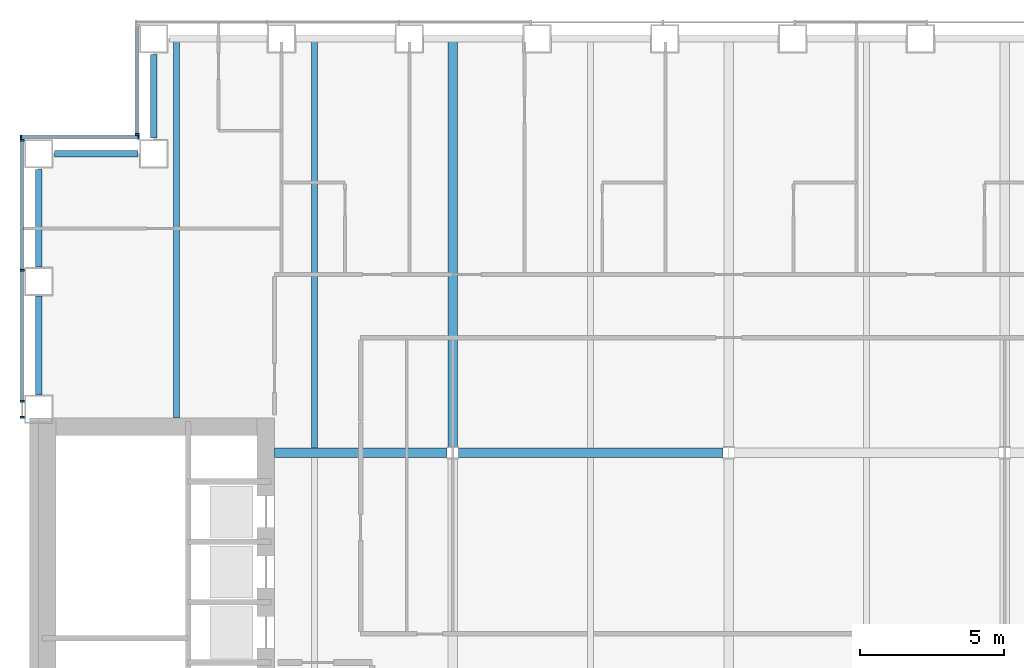
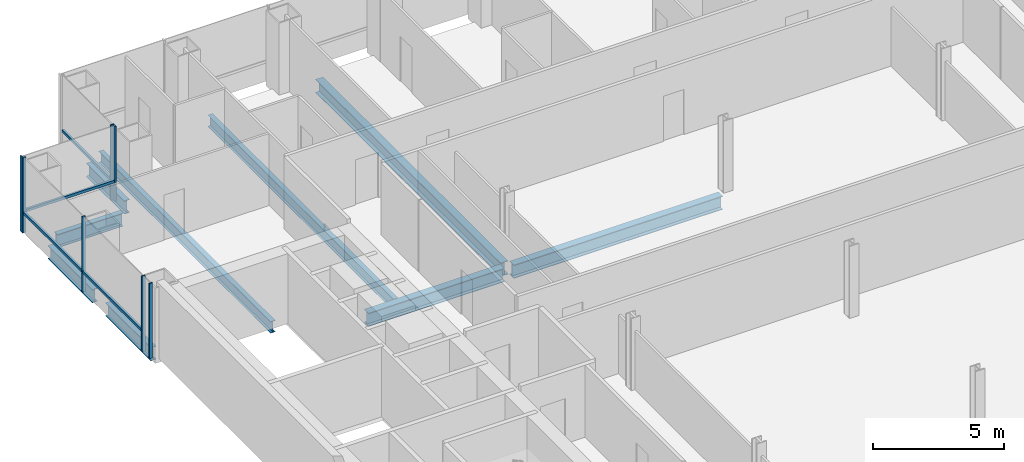
# One storey, part 7 of 21: 11 members, 9 beams, 3 elements without a shape of their own.
"""IFC4 building model written with IfcOpenShell, lengths in metres."""

from ifc_helpers import new_model, si_unit, direction, frame, origin, origin_2d, place, context, subcontext, project, spatial, rectangle, i_section, extrude, material, material_profile, profile_set, type_object, element, aggregate, save


model = new_model("IFC4")

# Units and contexts
model_context = context("Model", 3, precision=1e-05, world=origin(), true_north=direction((0.0, 1.0)))
body_context = subcontext(model_context, "Body", "Model", "MODEL_VIEW")
ifc_project = project(units=[si_unit("LENGTHUNIT", "METRE"), si_unit("AREAUNIT", "SQUARE_METRE"), si_unit("VOLUMEUNIT", "CUBIC_METRE"), si_unit("PLANEANGLEUNIT", "RADIAN"), si_unit("MASSUNIT", "GRAM", prefix="KILO")], contexts=[model_context])

# Site, building, storey
site_placement = place(None, origin())
site = spatial("IfcSite", under=ifc_project, at=site_placement, CompositionType="ELEMENT")
building_placement = place(site_placement, origin())
building = spatial("IfcBuilding", under=site, at=building_placement, Name="Cobrizo Arcos Hotel Tower", CompositionType="ELEMENT")
storey_placement = place(building_placement, frame((0.0, 0.0, 42.5)))
storey = spatial("IfcBuildingStorey", under=building, at=storey_placement, Name="L08", CompositionType="ELEMENT", Elevation=42.5)

# Curtain wall, member
ifc_material_1 = material(Name="Aluminium 6063-T6 anodised bronze", Category="aluminium")
curtain_wall_type = type_object("IfcCurtainWallType", Name="CW-A guest facade", PredefinedType="NOTDEFINED", material=ifc_material_1)
curtain_wall_1_placement = place(storey_placement, origin())
curtain_wall_1 = element("IfcCurtainWall", 1, at=curtain_wall_1_placement, inside=storey, type_object=curtain_wall_type, Name="CW-A L08 W face", PredefinedType="NOTDEFINED")
ifc_material_profile_1 = material_profile(ifc_material_1, rectangle(XDim=0.14990234375, YDim=0.06005859375, at=origin_2d()), Name="CW-A mullion 150x60")
ifc_profile_set_1 = profile_set([ifc_material_profile_1], Name="Aluminium 6063-T6 anodised bronze")
member_type_1 = type_object("IfcMemberType", Name="CW-A mullion 150x60", PredefinedType="MULLION", material=ifc_profile_set_1)
member_1_placement = place(storey_placement, frame((-20.574951171875, 20.679931640625, 0.0), z_axis=(0.0, 0.0, 1.0), x_axis=(-1.0, 0.0, 0.0)))
member_1 = element("IfcMember", 2, at=member_1_placement, type_object=member_type_1, Name="CW-A mullion 2", PredefinedType="MULLION", context=body_context, shape_type="SweptSolid", body=[
    extrude(rectangle(XDim=0.14990234375, YDim=0.06005859375, at=origin_2d()), origin(), (0.0, 0.0, 1.0), 3.5),
])

# Curtain wall, members
curtain_wall_2_placement = place(storey_placement, origin())
curtain_wall_2 = element("IfcCurtainWall", 3, at=curtain_wall_2_placement, inside=storey, type_object=curtain_wall_type, Name="CW-A L08 N face", PredefinedType="NOTDEFINED")
member_2_placement = place(storey_placement, frame((-20.530029296875, 20.574951171875, 0.0), z_axis=(0.0, 0.0, 1.0), x_axis=(0.0, 1.0, 0.0)))
member_2 = element("IfcMember", 4, at=member_2_placement, type_object=member_type_1, Name="CW-A mullion 1", PredefinedType="MULLION", context=body_context, shape_type="SweptSolid", body=[
    extrude(rectangle(XDim=0.14990234375, YDim=0.06005859375, at=origin_2d()), origin(), (0.0, 0.0, 1.0), 3.5),
])
member_3_placement = place(storey_placement, frame((-24.6201171875, 20.574951171875, 0.0), z_axis=(0.0, 0.0, 1.0), x_axis=(0.0, 1.0, 0.0)))
member_3 = element("IfcMember", 5, at=member_3_placement, type_object=member_type_1, Name="CW-A mullion 2", PredefinedType="MULLION", context=body_context, shape_type="SweptSolid", body=[
    extrude(rectangle(XDim=0.14990234375, YDim=0.06005859375, at=origin_2d()), origin(), (0.0, 0.0, 1.0), 3.5),
])

curtain_wall_3_placement = place(storey_placement, origin())
curtain_wall_3 = element("IfcCurtainWall", 6, at=curtain_wall_3_placement, inside=storey, type_object=curtain_wall_type, Name="CW-A L08 W face", PredefinedType="NOTDEFINED")
member_4_placement = place(storey_placement, frame((-24.574951171875, 20.469970703125, 0.0), z_axis=(0.0, 0.0, 1.0), x_axis=(-1.0, 0.0, 0.0)))
member_4 = element("IfcMember", 7, at=member_4_placement, type_object=member_type_1, Name="CW-A mullion 1", PredefinedType="MULLION", context=body_context, shape_type="SweptSolid", body=[
    extrude(rectangle(XDim=0.14990234375, YDim=0.06005859375, at=origin_2d()), origin(), (0.0, 0.0, 1.0), 3.5),
])
member_5_placement = place(storey_placement, frame((-24.574951171875, 15.9443359375, 0.0), z_axis=(0.0, 0.0, 1.0), x_axis=(-1.0, 0.0, 0.0)))
member_5 = element("IfcMember", 8, at=member_5_placement, type_object=member_type_1, Name="CW-A mullion 2", PredefinedType="MULLION", context=body_context, shape_type="SweptSolid", body=[
    extrude(rectangle(XDim=0.14990234375, YDim=0.06005859375, at=origin_2d()), origin(), (0.0, 0.0, 1.0), 3.5),
])
member_6_placement = place(storey_placement, frame((-24.574951171875, 11.388916015625, 0.0), z_axis=(0.0, 0.0, 1.0), x_axis=(-1.0, 0.0, 0.0)))
member_6 = element("IfcMember", 9, at=member_6_placement, type_object=member_type_1, Name="CW-A mullion 3", PredefinedType="MULLION", context=body_context, shape_type="SweptSolid", body=[
    extrude(rectangle(XDim=0.14990234375, YDim=0.06005859375, at=origin_2d()), origin(), (0.0, 0.0, 1.0), 3.5),
])
member_7_placement = place(storey_placement, frame((-24.574951171875, 10.830078125, 0.0), z_axis=(0.0, 0.0, 1.0), x_axis=(-1.0, 0.0, 0.0)))
member_7 = element("IfcMember", 10, at=member_7_placement, type_object=member_type_1, Name="CW-A mullion 4", PredefinedType="MULLION", context=body_context, shape_type="SweptSolid", body=[
    extrude(rectangle(XDim=0.14990234375, YDim=0.06005859375, at=origin_2d()), origin(), (0.0, 0.0, 1.0), 3.5),
])

# Member
ifc_material_profile_2 = material_profile(ifc_material_1, rectangle(XDim=0.10009765625, YDim=0.1201171875, at=origin_2d()), Name="CW-A transom 120x100")
ifc_profile_set_2 = profile_set([ifc_material_profile_2], Name="Aluminium 6063-T6 anodised bronze")
member_type_2 = type_object("IfcMemberType", Name="CW-A transom 120x100", PredefinedType="USERDEFINED", material=ifc_profile_set_2)
member_8_placement = place(storey_placement, frame((-20.574951171875, 24.43994140625, 0.929931640625), z_axis=(0.0, -1.0, 0.0), x_axis=(1.0, 0.0, 0.0)))
member_8 = element("IfcMember", 11, at=member_8_placement, type_object=member_type_2, Name="CW-A transom 427", ObjectType="TRANSOM", PredefinedType="USERDEFINED", context=body_context, shape_type="SweptSolid", body=[
    extrude(rectangle(XDim=0.10009765625, YDim=0.1201171875, at=origin_2d()), origin(), (0.0, 0.0, 1.0), 3.72998046875),
])

aggregate(curtain_wall_1, [member_1, member_8])

member_9_placement = place(storey_placement, frame((-20.56005859375, 20.574951171875, 0.929931640625), z_axis=(-1.0, 0.0, 0.0), x_axis=(0.0, -1.0, 0.0)))
member_9 = element("IfcMember", 12, at=member_9_placement, type_object=member_type_2, Name="CW-A transom 428", ObjectType="TRANSOM", PredefinedType="USERDEFINED", context=body_context, shape_type="SweptSolid", body=[
    extrude(rectangle(XDim=0.10009765625, YDim=0.1201171875, at=origin_2d()), origin(), (0.0, 0.0, 1.0), 4.030029296875),
])

aggregate(curtain_wall_2, [member_2, member_3, member_9])

member_10_placement = place(storey_placement, frame((-24.574951171875, 20.43994140625, 0.929931640625), z_axis=(0.0, -1.0, 0.0), x_axis=(1.0, 0.0, 0.0)))
member_10 = element("IfcMember", 13, at=member_10_placement, type_object=member_type_2, Name="CW-A transom 429", ObjectType="TRANSOM", PredefinedType="USERDEFINED", context=body_context, shape_type="SweptSolid", body=[
    extrude(rectangle(XDim=0.10009765625, YDim=0.1201171875, at=origin_2d()), origin(), (0.0, 0.0, 1.0), 4.465576171875),
])

member_11_placement = place(storey_placement, frame((-24.574951171875, 15.91455078125, 0.929931640625), z_axis=(0.0, -1.0, 0.0), x_axis=(1.0, 0.0, 0.0)))
member_11 = element("IfcMember", 14, at=member_11_placement, type_object=member_type_2, Name="CW-A transom 430", ObjectType="TRANSOM", PredefinedType="USERDEFINED", context=body_context, shape_type="SweptSolid", body=[
    extrude(rectangle(XDim=0.10009765625, YDim=0.1201171875, at=origin_2d()), origin(), (0.0, 0.0, 1.0), 4.49560546875),
])

aggregate(curtain_wall_3, [member_4, member_5, member_6, member_7, member_10, member_11])

# Beams
ifc_material_2 = material(Name="Steel ASTM A992 Grade 50", Category="steel")
ifc_material_profile_3 = material_profile(ifc_material_2, i_section(OverallWidth=0.209228515625, OverallDepth=0.533447265625, WebThickness=0.01025390625, FlangeThickness=0.015625, at=origin_2d()), Name="W21X62")
ifc_profile_set_3 = profile_set([ifc_material_profile_3], Name="Steel ASTM A992 Grade 50")
beam_type_1 = type_object("IfcBeamType", Name="W21X62 joist", PredefinedType="JOIST", material=ifc_profile_set_3)
beam_1_placement = place(storey_placement, frame((-19.199951171875, 10.81005859375, -0.416748046875), z_axis=(0.0, 1.0, 0.0), x_axis=(-1.0, 0.0, 0.0)))
element("IfcBeam", 15, at=beam_1_placement, inside=storey, type_object=beam_type_1, Name="Floor joist J1, L08, no. 002", PredefinedType="JOIST", context=body_context, shape_type="SweptSolid", body=[
    extrude(i_section(OverallWidth=0.209228515625, OverallDepth=0.533447265625, WebThickness=0.01025390625, FlangeThickness=0.015625, at=origin_2d()), origin(), (0.0, 0.0, 1.0), 13.099853515625),
])
beam_2_placement = place(storey_placement, frame((-14.39990234375, 9.763916015625, -0.416748046875), z_axis=(0.0, 1.0, 0.0), x_axis=(-1.0, 0.0, 0.0)))
element("IfcBeam", 16, at=beam_2_placement, inside=storey, type_object=beam_type_1, Name="Floor joist J1, L08, no. 006", PredefinedType="JOIST", context=body_context, shape_type="SweptSolid", body=[
    extrude(i_section(OverallWidth=0.209228515625, OverallDepth=0.533447265625, WebThickness=0.01025390625, FlangeThickness=0.015625, at=origin_2d()), origin(), (0.0, 0.0, 1.0), 14.14599609375),
])
ifc_material_profile_4 = material_profile(ifc_material_2, i_section(OverallWidth=0.32763671875, OverallDepth=0.622314453125, WebThickness=0.015380859375, FlangeThickness=0.0244140625, at=origin_2d()), Name="W24X131")
ifc_profile_set_4 = profile_set([ifc_material_profile_4], Name="Steel ASTM A992 Grade 50")
beam_type_2 = type_object("IfcBeamType", Name="W24X131 girder", PredefinedType="BEAM", material=ifc_profile_set_4)
beam_3_placement = place(storey_placement, frame((-15.7900390625, 9.60009765625, -0.461181640625), z_axis=(1.0, 0.0, 0.0), x_axis=(0.0, 1.0, 0.0)))
element("IfcBeam", 17, at=beam_3_placement, inside=storey, type_object=beam_type_2, Name="Floor girder G1, L08, no. 009", PredefinedType="BEAM", context=body_context, shape_type="SweptSolid", body=[
    extrude(i_section(OverallWidth=0.32763671875, OverallDepth=0.622314453125, WebThickness=0.015380859375, FlangeThickness=0.0244140625, at=origin_2d()), origin(), (0.0, 0.0, 1.0), 5.985595703125),
])
beam_4_placement = place(storey_placement, frame((-9.3955078125, 9.60009765625, -0.461181640625), z_axis=(1.0, 0.0, 0.0), x_axis=(0.0, 1.0, 0.0)))
element("IfcBeam", 18, at=beam_4_placement, inside=storey, type_object=beam_type_2, Name="Floor girder G1, L08, no. 010", PredefinedType="BEAM", context=body_context, shape_type="SweptSolid", body=[
    extrude(i_section(OverallWidth=0.32763671875, OverallDepth=0.622314453125, WebThickness=0.015380859375, FlangeThickness=0.0244140625, at=origin_2d()), origin(), (0.0, 0.0, 1.0), 9.191162109375),
])
beam_5_placement = place(storey_placement, frame((-9.60009765625, 9.804443359375, -0.461181640625), z_axis=(0.0, 1.0, 0.0), x_axis=(-1.0, 0.0, 0.0)))
element("IfcBeam", 19, at=beam_5_placement, inside=storey, type_object=beam_type_2, Name="Floor girder G1, L08, no. 016", PredefinedType="BEAM", context=body_context, shape_type="SweptSolid", body=[
    extrude(i_section(OverallWidth=0.32763671875, OverallDepth=0.622314453125, WebThickness=0.015380859375, FlangeThickness=0.0244140625, at=origin_2d()), origin(), (0.0, 0.0, 1.0), 14.10546875),
])
ifc_material_profile_5 = material_profile(ifc_material_2, i_section(OverallWidth=0.23046875, OverallDepth=0.6171875, WebThickness=0.01318359375, FlangeThickness=0.022216796875, at=origin_2d()), Name="W24X94")
ifc_profile_set_5 = profile_set([ifc_material_profile_5], Name="Steel ASTM A992 Grade 50")
beam_type_3 = type_object("IfcBeamType", Name="W24X94 spandrel", PredefinedType="SPANDREL", material=ifc_profile_set_5)
for number, where, z_axis, x_axis, name in (
    (20, (-20.0, 23.449951171875, -0.45849609375), (0.0, -1.0, 0.0), (1.0, 0.0, 0.0), "Spandrel beam W24X94, L08, no. 027"),
    (21, (-20.550048828125, 20.0, -0.45849609375), (-1.0, 0.0, 0.0), (0.0, -1.0, 0.0), "Spandrel beam W24X94, L08, no. 028"),
):
    element("IfcBeam", number, at=place(storey_placement, frame(where, z_axis=z_axis, x_axis=x_axis)), inside=storey, type_object=beam_type_3, Name=name, PredefinedType="SPANDREL", context=body_context, shape_type="SweptSolid", body=[
        extrude(i_section(OverallWidth=0.23046875, OverallDepth=0.6171875, WebThickness=0.01318359375, FlangeThickness=0.022216796875, at=origin_2d()), origin(), (0.0, 0.0, 1.0), 2.89990234375),
    ])
beam_6_placement = place(storey_placement, frame((-24.0, 19.449951171875, -0.45849609375), z_axis=(0.0, -1.0, 0.0), x_axis=(1.0, 0.0, 0.0)))
element("IfcBeam", 22, at=beam_6_placement, inside=storey, type_object=beam_type_3, Name="Spandrel beam W24X94, L08, no. 029", PredefinedType="SPANDREL", context=body_context, shape_type="SweptSolid", body=[
    extrude(i_section(OverallWidth=0.23046875, OverallDepth=0.6171875, WebThickness=0.01318359375, FlangeThickness=0.022216796875, at=origin_2d()), origin(), (0.0, 0.0, 1.0), 3.39404296875),
])
beam_7_placement = place(storey_placement, frame((-24.0, 15.055908203125, -0.45849609375), z_axis=(0.0, -1.0, 0.0), x_axis=(1.0, 0.0, 0.0)))
element("IfcBeam", 23, at=beam_7_placement, inside=storey, type_object=beam_type_3, Name="Spandrel beam W24X94, L08, no. 030", PredefinedType="SPANDREL", context=body_context, shape_type="SweptSolid", body=[
    extrude(i_section(OverallWidth=0.23046875, OverallDepth=0.6171875, WebThickness=0.01318359375, FlangeThickness=0.022216796875, at=origin_2d()), origin(), (0.0, 0.0, 1.0), 3.44482421875),
])

save(model, "model.ifc")
